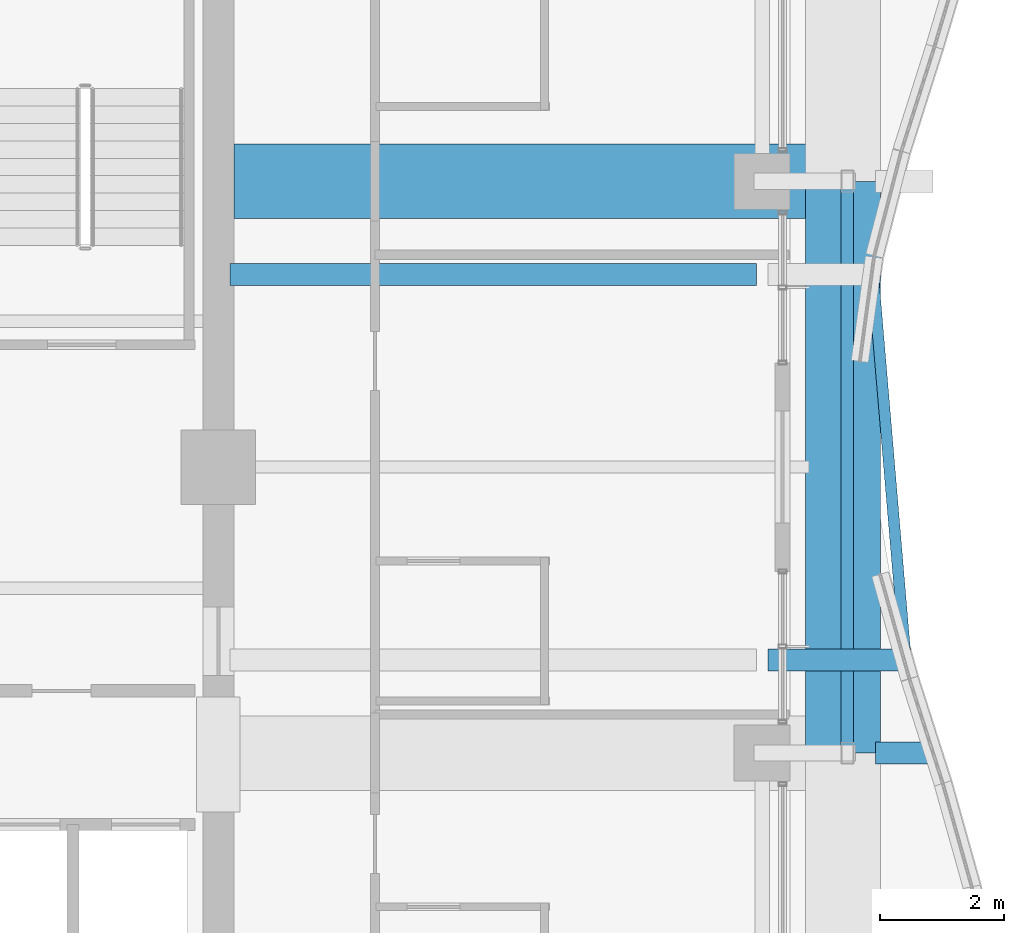
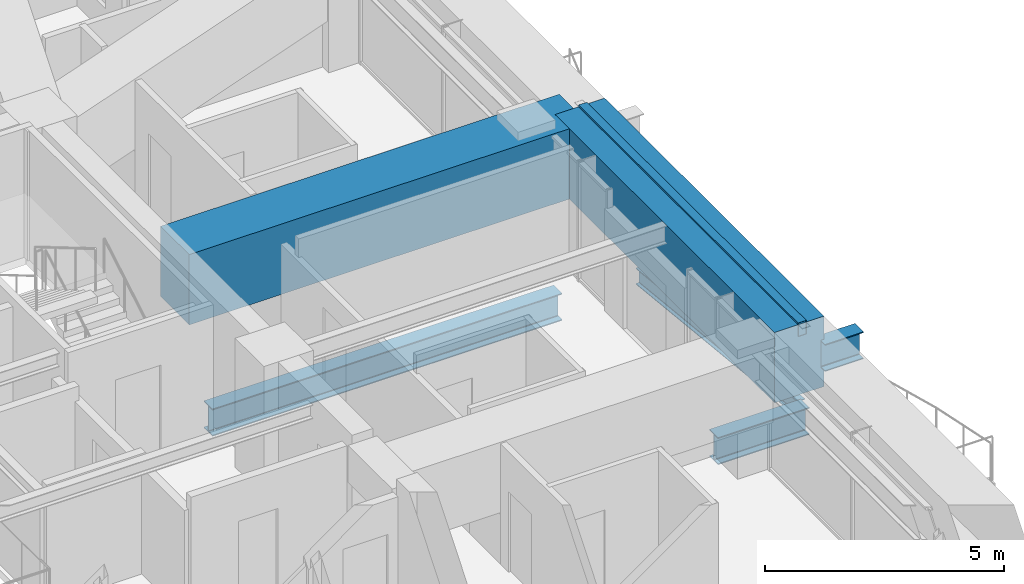
# One storey, part 19 of 40: 6 beams, 1 member.
"""IFC4 building model written with IfcOpenShell, lengths in metres."""

from ifc_helpers import new_model, si_unit, direction, frame, origin, origin_2d, place, context, subcontext, project, spatial, rectangle, hollow_rectangle, i_section, extrude, material, material_profile, profile_set, type_object, element, save


model = new_model("IFC4")

# Units and contexts
model_context = context("Model", 3, precision=1e-05, world=origin(), true_north=direction((0.0, 1.0)))
body_context = subcontext(model_context, "Body", "Model", "MODEL_VIEW")
ifc_project = project(units=[si_unit("LENGTHUNIT", "METRE"), si_unit("AREAUNIT", "SQUARE_METRE"), si_unit("VOLUMEUNIT", "CUBIC_METRE"), si_unit("PLANEANGLEUNIT", "RADIAN"), si_unit("MASSUNIT", "GRAM", prefix="KILO")], contexts=[model_context])

# Site, building, storey
site_placement = place(None, origin())
site = spatial("IfcSite", under=ifc_project, at=site_placement, CompositionType="ELEMENT")
building_placement = place(site_placement, origin())
building = spatial("IfcBuilding", under=site, at=building_placement, Name="Kolvaren Belvedere", CompositionType="ELEMENT")
storey_placement = place(building_placement, frame((0.0, 0.0, 170.10009765625)))
storey = spatial("IfcBuildingStorey", under=building, at=storey_placement, Name="L49", CompositionType="ELEMENT", Elevation=170.10009765625)

# Beams
ifc_material_1 = material(Name="Structural steel ASTM A992 Grade 50", Category="steel")
ifc_material_profile_1 = material_profile(ifc_material_1, i_section(OverallWidth=0.35498046875, OverallDepth=0.696044921875, WebThickness=0.015380859375, FlangeThickness=0.02490234375, FilletRadius=0.02197265625, at=origin_2d()), Name="W27X146")
ifc_profile_set_1 = profile_set([ifc_material_profile_1], Name="Structural steel ASTM A992 Grade 50")
beam_type_1 = type_object("IfcBeamType", Name="BM-CANT-BAL", PredefinedType="BEAM", material=ifc_profile_set_1)
beam_1_placement = place(storey_placement, frame((18.7451171875, -3.10009765625, -0.548095703125), z_axis=(1.0, 0.0, 0.0), x_axis=(0.0, 1.0, 0.0)))
element("IfcBeam", 1, at=beam_1_placement, inside=storey, type_object=beam_type_1, Name="L49 Planted Balcony Cantilever BAL-E-1", PredefinedType="BEAM", context=body_context, shape_type="SweptSolid", body=[
    extrude(i_section(OverallWidth=0.35498046875, OverallDepth=0.696044921875, WebThickness=0.015380859375, FlangeThickness=0.02490234375, FilletRadius=0.02197265625, at=origin_2d()), origin(), (0.0, 0.0, 1.0), 2.21337890625),
])
beam_2_placement = place(storey_placement, frame((20.469970703125, -4.60009765625, 2.141845703125), z_axis=(1.0, 0.0, 0.0), x_axis=(0.0, 1.0, 0.0)))
element("IfcBeam", 2, at=beam_2_placement, inside=storey, type_object=beam_type_1, Name="L49 East Picture-Frame Column Corbel M", PredefinedType="BEAM", context=body_context, shape_type="SweptSolid", body=[
    extrude(i_section(OverallWidth=0.35498046875, OverallDepth=0.696044921875, WebThickness=0.015380859375, FlangeThickness=0.02490234375, FilletRadius=0.02197265625, at=origin_2d()), origin(), (0.0, 0.0, 1.0), 0.929931640625),
])
ifc_material_2 = material(Name="Structural steel ASTM A992 Grade 50", Category="steel")
ifc_material_profile_2 = material_profile(ifc_material_2, i_section(OverallWidth=0.180908203125, OverallDepth=0.4169921875, WebThickness=0.010986328125, FlangeThickness=0.018310546875, FilletRadius=0.013916015625, at=origin_2d()), Name="W16X57")
ifc_profile_set_2 = profile_set([ifc_material_profile_2], Name="Structural steel ASTM A992 Grade 50")
beam_type_2 = type_object("IfcBeamType", Name="BM-EDGE-W16X57", PredefinedType="BEAM", material=ifc_profile_set_2)
beam_3_placement = place(storey_placement, frame((20.94677734375, -2.96044921875, -0.40869140625), z_axis=(-0.08459587635, 0.996415343973, 0.0), x_axis=(-0.996415343973, -0.08459587635, 0.0)))
element("IfcBeam", 3, at=beam_3_placement, inside=storey, type_object=beam_type_2, Name="L49 Balcony Tip Header Beam BAL-E", PredefinedType="BEAM", context=body_context, shape_type="SweptSolid", body=[
    extrude(i_section(OverallWidth=0.180908203125, OverallDepth=0.4169921875, WebThickness=0.010986328125, FlangeThickness=0.018310546875, FilletRadius=0.013916015625, at=origin_2d()), origin(), (0.0, 0.0, 1.0), 5.942138671875),
])
ifc_material_3 = material(Name="Structural steel ASTM A992 Grade 50", Category="steel")
ifc_material_profile_3 = material_profile(ifc_material_3, i_section(OverallWidth=0.35498046875, OverallDepth=0.696044921875, WebThickness=0.015380859375, FlangeThickness=0.02490234375, FilletRadius=0.02197265625, at=origin_2d()), Name="W27X146")
ifc_profile_set_3 = profile_set([ifc_material_profile_3], Name="Structural steel ASTM A992 Grade 50")
beam_type_3 = type_object("IfcBeamType", Name="BM-GIRD-W27X146", PredefinedType="BEAM", material=ifc_profile_set_3)
beam_4_placement = place(storey_placement, frame((10.090087890625, 3.10009765625, -0.548095703125), z_axis=(1.0, 0.0, 0.0), x_axis=(0.0, 1.0, 0.0)))
element("IfcBeam", 4, at=beam_4_placement, inside=storey, type_object=beam_type_3, Name="L49 Balcony Interior Back-Span Girder BAL-E-2", PredefinedType="BEAM", context=body_context, shape_type="SweptSolid", body=[
    extrude(i_section(OverallWidth=0.35498046875, OverallDepth=0.696044921875, WebThickness=0.015380859375, FlangeThickness=0.02490234375, FilletRadius=0.02197265625, at=origin_2d()), origin(), (0.0, 0.0, 1.0), 8.46484375),
])
ifc_material_4 = material(Name="Concrete C50/60", Category="concrete")
ifc_material_profile_4 = material_profile(ifc_material_4, rectangle(XDim=1.199951171875, YDim=1.800048828125, at=origin_2d()), Name="RC 1200X1800")
ifc_profile_set_4 = profile_set([ifc_material_profile_4], Name="Concrete C50/60")
beam_type_4 = type_object("IfcBeamType", Name="BM-TG-1800", PredefinedType="BEAM", material=ifc_profile_set_4)
beam_5_placement = place(storey_placement, frame((19.949951171875, -4.60009765625, 2.179931640625), z_axis=(0.0, 1.0, 0.0), x_axis=(-1.0, 0.0, 0.0)))
element("IfcBeam", 5, at=beam_5_placement, inside=storey, type_object=beam_type_4, Name="L49 Step Transfer Ring Girder E2-E3", PredefinedType="BEAM", context=body_context, shape_type="SweptSolid", body=[
    extrude(rectangle(XDim=1.199951171875, YDim=1.800048828125, at=origin_2d()), origin(), (0.0, 0.0, 1.0), 9.2001953125),
])
beam_6_placement = place(storey_placement, frame((10.14990234375, 4.60009765625, 2.179931640625), z_axis=(1.0, 0.0, 0.0), x_axis=(0.0, 1.0, 0.0)))
element("IfcBeam", 6, at=beam_6_placement, inside=storey, type_object=beam_type_4, Name="L49 East Radial Girder P", PredefinedType="BEAM", context=body_context, shape_type="SweptSolid", body=[
    extrude(rectangle(XDim=1.199951171875, YDim=1.800048828125, at=origin_2d()), origin(), (0.0, 0.0, 1.0), 9.650146484375),
])

# Member
ifc_material_5 = material(Name="Anodised pale-metal aluminium AA 6063-T6", Category="aluminium")
ifc_material_profile_5 = material_profile(ifc_material_5, hollow_rectangle(XDim=0.199951171875, YDim=0.35009765625, WallThickness=0.007568359375, at=origin_2d()), Name="ALU-PF-350X200")
ifc_profile_set_5 = profile_set([ifc_material_profile_5], Name="Anodised pale-metal aluminium AA 6063-T6")
member_type = type_object("IfcMemberType", Name="PF-FRAME-350", PredefinedType="USERDEFINED", material=ifc_profile_set_5)
member_placement = place(storey_placement, frame((20.02001953125, 4.60009765625, 2.949951171875), z_axis=(0.0, -1.0, 0.0), x_axis=(1.0, 0.0, 0.0)))
element("IfcMember", 7, at=member_placement, inside=storey, type_object=member_type, Name="L49 Outboard Picture-Frame Head E", ObjectType="PICTURE FRAME FIN", PredefinedType="USERDEFINED", context=body_context, shape_type="SweptSolid", body=[
    extrude(hollow_rectangle(XDim=0.199951171875, YDim=0.35009765625, WallThickness=0.007568359375, at=origin_2d()), origin(), (0.0, 0.0, 1.0), 9.2001953125),
])

save(model, "model.ifc")
